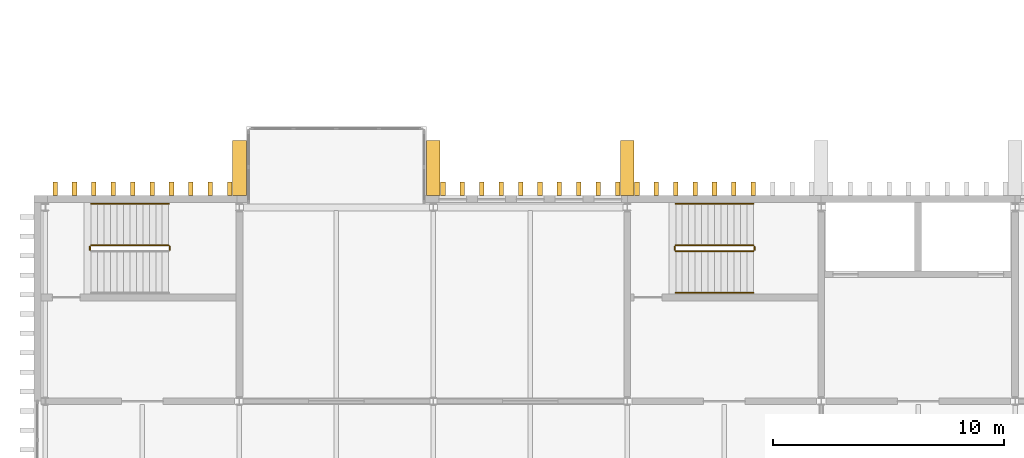
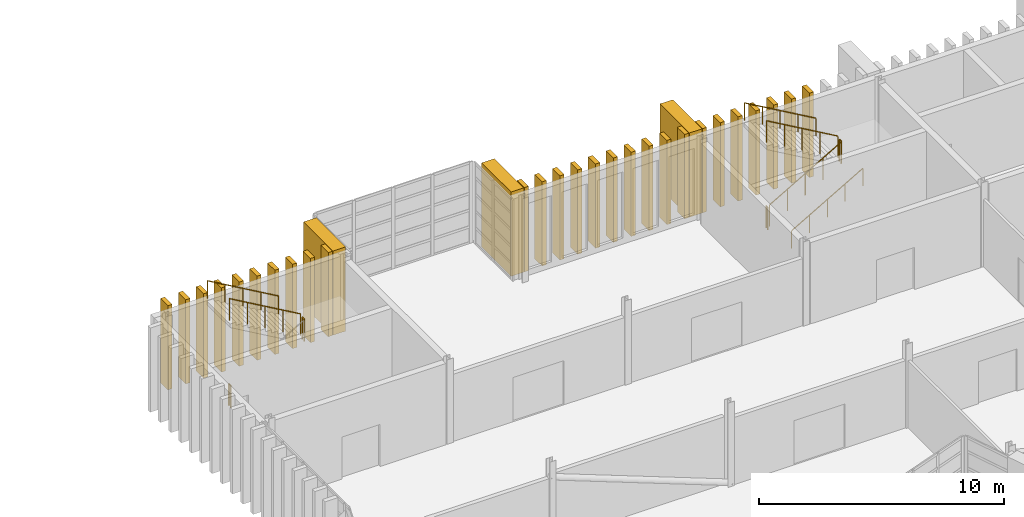
# One storey, part 88 of 100: 30 coverings, 10 railings.
"""IFC4 building model written with IfcOpenShell, lengths in metres."""

from ifc_helpers import new_model, si_unit, direction, frame, origin, origin_2d, place, context, subcontext, project, spatial, rectangle, circle, extrude, material, type_object, element, save


model = new_model("IFC4")

# Units and contexts
model_context = context("Model", 3, precision=1e-05, world=origin(), true_north=direction((0.0, 1.0)))
body_context = subcontext(model_context, "Body", "Model", "MODEL_VIEW")
ifc_project = project(units=[si_unit("LENGTHUNIT", "METRE"), si_unit("AREAUNIT", "SQUARE_METRE"), si_unit("VOLUMEUNIT", "CUBIC_METRE"), si_unit("PLANEANGLEUNIT", "RADIAN"), si_unit("MASSUNIT", "GRAM", prefix="KILO")], contexts=[model_context])

# Site, building, storey
site_placement = place(None, origin())
site = spatial("IfcSite", under=ifc_project, at=site_placement, CompositionType="ELEMENT")
building_placement = place(site_placement, origin())
building = spatial("IfcBuilding", under=site, at=building_placement, Name="Cresset Court Congress Hotel", CompositionType="ELEMENT")
storey_placement = place(building_placement, frame((0.0, 0.0, 10.199951171875)))
storey = spatial("IfcBuildingStorey", under=building, at=storey_placement, Name="L02", CompositionType="ELEMENT", Elevation=10.199951171875)

# Railings
ifc_material_1 = material(Name="Steel and laminated glass", Category="steel")
railing_type_1 = type_object("IfcRailingType", Name="Guard 1100 steel and glass", PredefinedType="GUARDRAIL", material=ifc_material_1)
railing_1_placement = place(storey_placement, frame((13.7900390625, 23.35009765625, 2.10009765625)))
element("IfcRailing", 1, at=railing_1_placement, inside=storey, type_object=railing_type_1, Name="L02 ST-B1 stair guard 2", PredefinedType="GUARDRAIL", context=body_context, shape_type="SweptSolid", body=[
    extrude(circle(Radius=0.02392578125, at=origin_2d()), frame((0.0, 0.0, 1.076171875), z_axis=(0.0, 1.0, 0.0), x_axis=(-1.0, 0.0, 0.0)), (0.0, 0.0, 1.0), 0.14990234375),
    extrude(circle(Radius=0.02099609375, at=origin_2d()), origin(), (0.0, 0.0, 1.0), 1.052001953125),
    extrude(circle(Radius=0.02099609375, at=origin_2d()), frame((0.0, 0.14990234375, 0.0)), (0.0, 0.0, 1.0), 1.052001953125),
])
railing_2_placement = place(storey_placement, frame((13.739990234375, 23.550048828125, 2.261474609375)))
element("IfcRailing", 2, at=railing_2_placement, inside=storey, type_object=railing_type_1, Name="L02 ST-B1 stair guard 3", PredefinedType="GUARDRAIL", context=body_context, shape_type="SweptSolid", body=[
    extrude(circle(Radius=0.02392578125, at=origin_2d()), frame((0.0, 0.0, 1.076171875), z_axis=(-0.866190824863, 0.0, 0.499713372768), x_axis=(0.0, -1.0, 0.0)), (0.0, 0.0, 1.0), 3.879150390625),
    extrude(circle(Radius=0.02099609375, at=origin_2d()), origin(), (0.0, 0.0, 1.0), 1.052001953125),
    extrude(circle(Radius=0.02099609375, at=origin_2d()), frame((-0.840087890625, 0.0, 0.484619140625)), (0.0, 0.0, 1.0), 1.052001953125),
    extrude(circle(Radius=0.02099609375, at=origin_2d()), frame((-1.68017578125, 0.0, 0.96923828125)), (0.0, 0.0, 1.0), 1.052001953125),
    extrude(circle(Radius=0.02099609375, at=origin_2d()), frame((-2.52001953125, 0.0, 1.453857421875)), (0.0, 0.0, 1.0), 1.052001953125),
    extrude(circle(Radius=0.02099609375, at=origin_2d()), frame((-3.360107421875, 0.0, 1.9384765625)), (0.0, 0.0, 1.0), 1.052001953125),
])
railing_3_placement = place(storey_placement, frame((10.330078125, 23.35009765625, 0.0)))
element("IfcRailing", 3, at=railing_3_placement, inside=storey, type_object=railing_type_1, Name="L02 ST-B1 stair guard 4", PredefinedType="GUARDRAIL", context=body_context, shape_type="SweptSolid", body=[
    extrude(circle(Radius=0.02392578125, at=origin_2d()), frame((0.0, 0.0, 1.076171875), z_axis=(0.0, 1.0, 0.0), x_axis=(-1.0, 0.0, 0.0)), (0.0, 0.0, 1.0), 0.14990234375),
    extrude(circle(Radius=0.02099609375, at=origin_2d()), origin(), (0.0, 0.0, 1.0), 1.052001953125),
    extrude(circle(Radius=0.02099609375, at=origin_2d()), frame((0.0, 0.14990234375, 0.0)), (0.0, 0.0, 1.0), 1.052001953125),
])
railing_4_placement = place(storey_placement, frame((35.699951171875, 23.300048828125, 0.16162109375)))
element("IfcRailing", 4, at=railing_4_placement, inside=storey, type_object=railing_type_1, Name="L02 ST-B2 stair guard 1", PredefinedType="GUARDRAIL", context=body_context, shape_type="SweptSolid", body=[
    extrude(circle(Radius=0.02392578125, at=origin_2d()), frame((0.0, 0.0, 1.076171875), z_axis=(0.866190824863, 0.0, 0.499713372768), x_axis=(0.0, 1.0, 0.0)), (0.0, 0.0, 1.0), 3.879150390625),
    extrude(circle(Radius=0.02099609375, at=origin_2d()), origin(), (0.0, 0.0, 1.0), 1.052001953125),
    extrude(circle(Radius=0.02099609375, at=origin_2d()), frame((0.840087890625, 0.0, 0.484619140625)), (0.0, 0.0, 1.0), 1.052001953125),
    extrude(circle(Radius=0.02099609375, at=origin_2d()), frame((1.68017578125, 0.0, 0.96923828125)), (0.0, 0.0, 1.0), 1.052001953125),
    extrude(circle(Radius=0.02099609375, at=origin_2d()), frame((2.52001953125, 0.0, 1.453857421875)), (0.0, 0.0, 1.0), 1.052001953125),
    extrude(circle(Radius=0.02099609375, at=origin_2d()), frame((3.360107421875, 0.0, 1.9384765625)), (0.0, 0.0, 1.0), 1.052001953125),
])
railing_5_placement = place(storey_placement, frame((39.110107421875, 23.35009765625, 2.10009765625)))
element("IfcRailing", 5, at=railing_5_placement, inside=storey, type_object=railing_type_1, Name="L02 ST-B2 stair guard 2", PredefinedType="GUARDRAIL", context=body_context, shape_type="SweptSolid", body=[
    extrude(circle(Radius=0.02392578125, at=origin_2d()), frame((0.0, 0.0, 1.076171875), z_axis=(0.0, 1.0, 0.0), x_axis=(-1.0, 0.0, 0.0)), (0.0, 0.0, 1.0), 0.14990234375),
    extrude(circle(Radius=0.02099609375, at=origin_2d()), origin(), (0.0, 0.0, 1.0), 1.052001953125),
    extrude(circle(Radius=0.02099609375, at=origin_2d()), frame((0.0, 0.14990234375, 0.0)), (0.0, 0.0, 1.0), 1.052001953125),
])
railing_6_placement = place(storey_placement, frame((39.06005859375, 23.550048828125, 2.261474609375)))
element("IfcRailing", 6, at=railing_6_placement, inside=storey, type_object=railing_type_1, Name="L02 ST-B2 stair guard 3", PredefinedType="GUARDRAIL", context=body_context, shape_type="SweptSolid", body=[
    extrude(circle(Radius=0.02392578125, at=origin_2d()), frame((0.0, 0.0, 1.076171875), z_axis=(-0.866190824863, 0.0, 0.499713372768), x_axis=(0.0, -1.0, 0.0)), (0.0, 0.0, 1.0), 3.879150390625),
    extrude(circle(Radius=0.02099609375, at=origin_2d()), origin(), (0.0, 0.0, 1.0), 1.052001953125),
    extrude(circle(Radius=0.02099609375, at=origin_2d()), frame((-0.840087890625, 0.0, 0.484619140625)), (0.0, 0.0, 1.0), 1.052001953125),
    extrude(circle(Radius=0.02099609375, at=origin_2d()), frame((-1.68017578125, 0.0, 0.96923828125)), (0.0, 0.0, 1.0), 1.052001953125),
    extrude(circle(Radius=0.02099609375, at=origin_2d()), frame((-2.52001953125, 0.0, 1.453857421875)), (0.0, 0.0, 1.0), 1.052001953125),
    extrude(circle(Radius=0.02099609375, at=origin_2d()), frame((-3.360107421875, 0.0, 1.9384765625)), (0.0, 0.0, 1.0), 1.052001953125),
])
railing_7_placement = place(storey_placement, frame((35.64990234375, 23.35009765625, 0.0)))
element("IfcRailing", 7, at=railing_7_placement, inside=storey, type_object=railing_type_1, Name="L02 ST-B2 stair guard 4", PredefinedType="GUARDRAIL", context=body_context, shape_type="SweptSolid", body=[
    extrude(circle(Radius=0.02392578125, at=origin_2d()), frame((0.0, 0.0, 1.076171875), z_axis=(0.0, 1.0, 0.0), x_axis=(-1.0, 0.0, 0.0)), (0.0, 0.0, 1.0), 0.14990234375),
    extrude(circle(Radius=0.02099609375, at=origin_2d()), origin(), (0.0, 0.0, 1.0), 1.052001953125),
    extrude(circle(Radius=0.02099609375, at=origin_2d()), frame((0.0, 0.14990234375, 0.0)), (0.0, 0.0, 1.0), 1.052001953125),
])
ifc_material_2 = material(Name="Stainless steel", Category="steel")
railing_type_2 = type_object("IfcRailingType", Name="Handrail 48 stainless", PredefinedType="HANDRAIL", material=ifc_material_2)
railing_8_placement = place(storey_placement, frame((13.739990234375, 25.35009765625, 2.261474609375)))
element("IfcRailing", 8, at=railing_8_placement, inside=storey, type_object=railing_type_2, Name="L02 ST-B1 stair handrail 2", PredefinedType="HANDRAIL", context=body_context, shape_type="SweptSolid", body=[
    extrude(circle(Radius=0.02392578125, at=origin_2d()), frame((0.0, 0.0, 0.8759765625), z_axis=(-0.866190824863, 0.0, 0.499713372768), x_axis=(0.0, -1.0, 0.0)), (0.0, 0.0, 1.0), 3.879150390625),
    extrude(circle(Radius=0.02099609375, at=origin_2d()), origin(), (0.0, 0.0, 1.0), 0.851806640625),
    extrude(circle(Radius=0.02099609375, at=origin_2d()), frame((-0.840087890625, 0.0, 0.484619140625)), (0.0, 0.0, 1.0), 0.851806640625),
    extrude(circle(Radius=0.02099609375, at=origin_2d()), frame((-1.68017578125, 0.0, 0.96923828125)), (0.0, 0.0, 1.0), 0.851806640625),
    extrude(circle(Radius=0.02099609375, at=origin_2d()), frame((-2.52001953125, 0.0, 1.453857421875)), (0.0, 0.0, 1.0), 0.851806640625),
    extrude(circle(Radius=0.02099609375, at=origin_2d()), frame((-3.360107421875, 0.0, 1.9384765625)), (0.0, 0.0, 1.0), 0.851806640625),
])
railing_9_placement = place(storey_placement, frame((35.699951171875, 21.5, 0.16162109375)))
element("IfcRailing", 9, at=railing_9_placement, inside=storey, type_object=railing_type_2, Name="L02 ST-B2 stair handrail 1", PredefinedType="HANDRAIL", context=body_context, shape_type="SweptSolid", body=[
    extrude(circle(Radius=0.02392578125, at=origin_2d()), frame((0.0, 0.0, 0.8759765625), z_axis=(0.866190824863, 0.0, 0.499713372768), x_axis=(0.0, 1.0, 0.0)), (0.0, 0.0, 1.0), 3.879150390625),
    extrude(circle(Radius=0.02099609375, at=origin_2d()), origin(), (0.0, 0.0, 1.0), 0.851806640625),
    extrude(circle(Radius=0.02099609375, at=origin_2d()), frame((0.840087890625, 0.0, 0.484619140625)), (0.0, 0.0, 1.0), 0.851806640625),
    extrude(circle(Radius=0.02099609375, at=origin_2d()), frame((1.68017578125, 0.0, 0.96923828125)), (0.0, 0.0, 1.0), 0.851806640625),
    extrude(circle(Radius=0.02099609375, at=origin_2d()), frame((2.52001953125, 0.0, 1.453857421875)), (0.0, 0.0, 1.0), 0.851806640625),
    extrude(circle(Radius=0.02099609375, at=origin_2d()), frame((3.360107421875, 0.0, 1.9384765625)), (0.0, 0.0, 1.0), 0.851806640625),
])
railing_10_placement = place(storey_placement, frame((39.06005859375, 25.35009765625, 2.261474609375)))
element("IfcRailing", 10, at=railing_10_placement, inside=storey, type_object=railing_type_2, Name="L02 ST-B2 stair handrail 2", PredefinedType="HANDRAIL", context=body_context, shape_type="SweptSolid", body=[
    extrude(circle(Radius=0.02392578125, at=origin_2d()), frame((0.0, 0.0, 0.8759765625), z_axis=(-0.866190824863, 0.0, 0.499713372768), x_axis=(0.0, -1.0, 0.0)), (0.0, 0.0, 1.0), 3.879150390625),
    extrude(circle(Radius=0.02099609375, at=origin_2d()), origin(), (0.0, 0.0, 1.0), 0.851806640625),
    extrude(circle(Radius=0.02099609375, at=origin_2d()), frame((-0.840087890625, 0.0, 0.484619140625)), (0.0, 0.0, 1.0), 0.851806640625),
    extrude(circle(Radius=0.02099609375, at=origin_2d()), frame((-1.68017578125, 0.0, 0.96923828125)), (0.0, 0.0, 1.0), 0.851806640625),
    extrude(circle(Radius=0.02099609375, at=origin_2d()), frame((-2.52001953125, 0.0, 1.453857421875)), (0.0, 0.0, 1.0), 0.851806640625),
    extrude(circle(Radius=0.02099609375, at=origin_2d()), frame((-3.360107421875, 0.0, 1.9384765625)), (0.0, 0.0, 1.0), 0.851806640625),
])

# Coverings
ifc_material_3 = material(Name="Precast concrete C50", Category="concrete")
covering_type_1 = type_object("IfcCoveringType", Name="Precast stone fin 200x600 variant 1", PredefinedType="CLADDING", material=ifc_material_3)
for number, where, z_axis, x_axis, name in (
    (11, (8.820068359375, 26.0, 0.0), (0.0, 0.0, 1.0), (1.0, 0.0, 0.0), "Fin N02-000"),
    (12, (9.659912109375, 26.0, 0.0), (0.0, 0.0, 1.0), (1.0, 0.0, 0.0), "Fin N02-001"),
    (13, (10.5, 26.0, 0.0), (0.0, 0.0, 1.0), (1.0, 0.0, 0.0), "Fin N02-002"),
    (14, (11.340087890625, 26.0, 0.0), (0.0, 0.0, 1.0), (1.0, 0.0, 0.0), "Fin N02-003"),
    (15, (12.179931640625, 26.0, 0.0), (0.0, 0.0, 1.0), (1.0, 0.0, 0.0), "Fin N02-004"),
    (16, (13.02001953125, 26.0, 0.0), (0.0, 0.0, 1.0), (1.0, 0.0, 0.0), "Fin N02-005"),
    (17, (13.860107421875, 26.0, 0.0), (0.0, 0.0, 1.0), (1.0, 0.0, 0.0), "Fin N02-006"),
    (18, (14.699951171875, 26.0, 0.0), (0.0, 0.0, 1.0), (1.0, 0.0, 0.0), "Fin N02-007"),
    (19, (15.5400390625, 26.0, 0.0), (0.0, 0.0, 1.0), (1.0, 0.0, 0.0), "Fin N02-008"),
    (20, (16.3798828125, 26.0, 0.0), (0.0, 0.0, 1.0), (1.0, 0.0, 0.0), "Fin N02-009"),
    (21, (25.6201171875, 26.0, 0.0), (0.0, 0.0, 1.0), (1.0, 0.0, 0.0), "Fin N02-020"),
    (22, (26.4599609375, 26.0, 0.0), (0.0, 0.0, 1.0), (1.0, 0.0, 0.0), "Fin N02-021"),
    (23, (27.300048828125, 26.0, 0.0), (0.0, 0.0, 1.0), (1.0, 0.0, 0.0), "Fin N02-022"),
    (24, (28.139892578125, 26.0, 0.0), (0.0, 0.0, 1.0), (1.0, 0.0, 0.0), "Fin N02-023"),
    (25, (28.97998046875, 26.0, 0.0), (0.0, 0.0, 1.0), (1.0, 0.0, 0.0), "Fin N02-024"),
    (26, (29.820068359375, 26.0, 0.0), (0.0, 0.0, 1.0), (1.0, 0.0, 0.0), "Fin N02-025"),
    (27, (30.659912109375, 26.0, 0.0), (0.0, 0.0, 1.0), (1.0, 0.0, 0.0), "Fin N02-026"),
    (28, (31.5, 26.0, 0.0), (0.0, 0.0, 1.0), (1.0, 0.0, 0.0), "Fin N02-027"),
    (29, (32.340087890625, 26.0, 0.0), (0.0, 0.0, 1.0), (1.0, 0.0, 0.0), "Fin N02-028"),
    (30, (33.179931640625, 26.0, 0.0), (0.0, 0.0, 1.0), (1.0, 0.0, 0.0), "Fin N02-029"),
    (31, (34.02001953125, 26.0, 0.0), (0.0, 0.0, 1.0), (1.0, 0.0, 0.0), "Fin N02-030"),
    (32, (34.860107421875, 26.0, 0.0), (0.0, 0.0, 1.0), (1.0, 0.0, 0.0), "Fin N02-031"),
    (33, (35.699951171875, 26.0, 0.0), (0.0, 0.0, 1.0), (1.0, 0.0, 0.0), "Fin N02-032"),
    (34, (36.5400390625, 26.0, 0.0), (0.0, 0.0, 1.0), (1.0, 0.0, 0.0), "Fin N02-033"),
    (35, (37.3798828125, 26.0, 0.0), (0.0, 0.0, 1.0), (1.0, 0.0, 0.0), "Fin N02-034"),
    (36, (38.219970703125, 26.0, 0.0), (0.0, 0.0, 1.0), (1.0, 0.0, 0.0), "Fin N02-035"),
    (37, (39.06005859375, 26.0, 0.0), (0.0, 0.0, 1.0), (1.0, 0.0, 0.0), "Fin N02-036"),
):
    element("IfcCovering", number, at=place(storey_placement, frame(where, z_axis=z_axis, x_axis=x_axis)), inside=storey, type_object=covering_type_1, Name=name, PredefinedType="CLADDING", context=body_context, shape_type="SweptSolid", body=[
        extrude(rectangle(XDim=0.199951171875, YDim=0.60009765625, at=origin_2d()), origin(), (0.0, 0.0, 1.0), 4.199951171875),
    ])
ifc_material_4 = material(Name="Precast concrete C50", Category="concrete")
covering_type_2 = type_object("IfcCoveringType", Name="Precast stone pier 600x2400", PredefinedType="CLADDING", material=ifc_material_4)
for number, where, z_axis, x_axis, name in (
    (38, (16.800048828125, 26.89990234375, 0.0), (0.0, 0.0, 1.0), (1.0, 0.0, 0.0), "Pier N02-01"),
    (39, (25.199951171875, 26.89990234375, 0.0), (0.0, 0.0, 1.0), (1.0, 0.0, 0.0), "Pier N02-02"),
    (40, (33.60009765625, 26.89990234375, 0.0), (0.0, 0.0, 1.0), (1.0, 0.0, 0.0), "Pier N02-03"),
):
    element("IfcCovering", number, at=place(storey_placement, frame(where, z_axis=z_axis, x_axis=x_axis)), inside=storey, type_object=covering_type_2, Name=name, PredefinedType="CLADDING", context=body_context, shape_type="SweptSolid", body=[
        extrude(rectangle(XDim=0.60009765625, YDim=2.39990234375, at=origin_2d()), origin(), (0.0, 0.0, 1.0), 4.199951171875),
    ])

save(model, "model.ifc")
